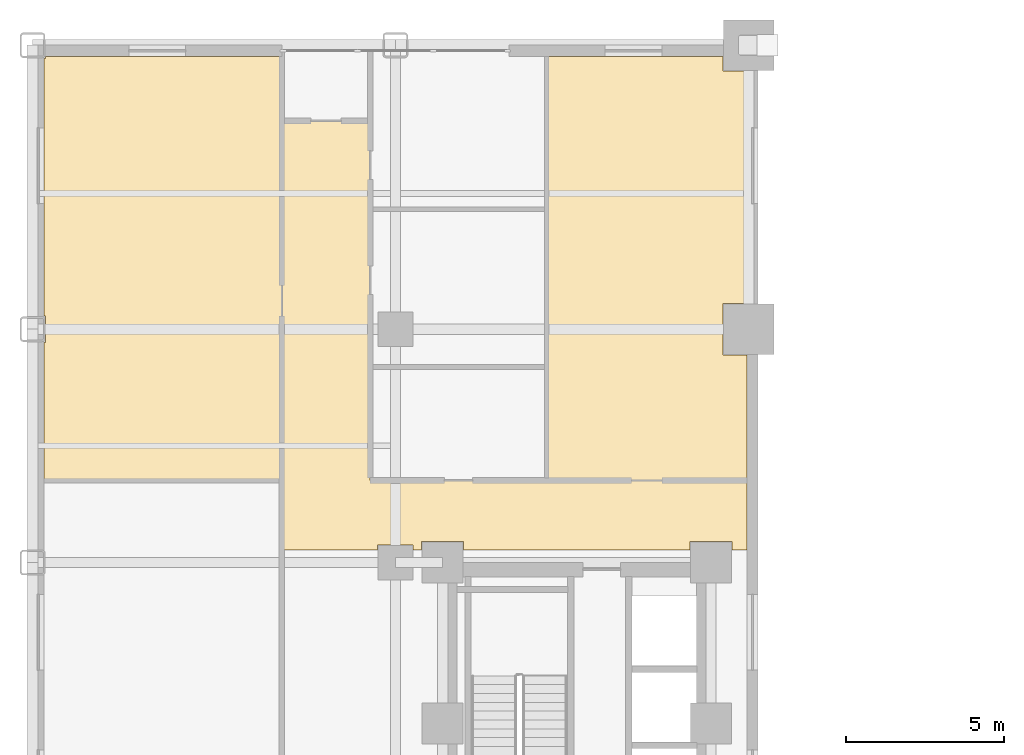
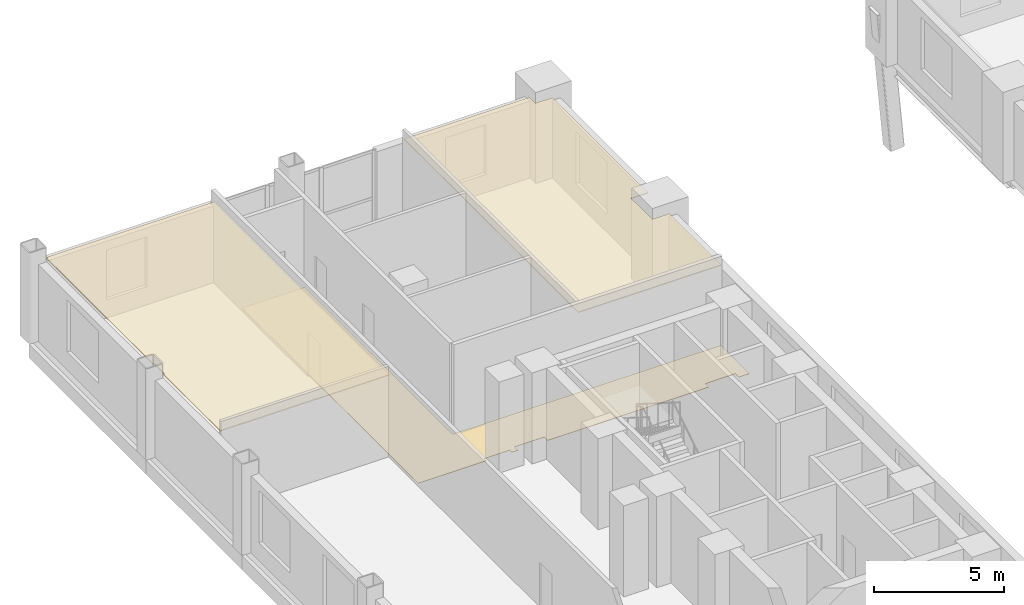
# One storey, part 14 of 15: 3 coverings.
"""IFC4 building model written with IfcOpenShell, lengths in metres."""

from ifc_helpers import new_model, si_unit, direction, frame, origin, place, context, subcontext, project, spatial, polyline, outline, extrude, material, layer, layer_set, type_object, element, save


model = new_model("IFC4")

# Units and contexts
model_context = context("Model", 3, precision=1e-05, world=origin(), true_north=direction((0.0, 1.0)))
body_context = subcontext(model_context, "Body", "Model", "MODEL_VIEW")
ifc_project = project(units=[si_unit("LENGTHUNIT", "METRE"), si_unit("AREAUNIT", "SQUARE_METRE"), si_unit("VOLUMEUNIT", "CUBIC_METRE"), si_unit("PLANEANGLEUNIT", "RADIAN"), si_unit("MASSUNIT", "GRAM", prefix="KILO")], contexts=[model_context])

# Site, building, storey
site_placement = place(None, origin())
site = spatial("IfcSite", under=ifc_project, at=site_placement, CompositionType="ELEMENT")
building_placement = place(site_placement, origin())
building = spatial("IfcBuilding", under=site, at=building_placement, Name="Nuvemarco Arch Tower", CompositionType="ELEMENT")
storey_placement = place(building_placement, frame((0.0, 0.0, 4.60009765625)))
storey = spatial("IfcBuildingStorey", under=building, at=storey_placement, Name="L01", CompositionType="ELEMENT", Elevation=4.60009765625)

# Coverings
ifc_material_1 = material(Name="Mineral acoustic ceiling tile")
ifc_layer_1 = layer(ifc_material_1, 0.0400390625, Name="COV-ACOUSTIC-CLG")
ifc_layer_set_1 = layer_set([ifc_layer_1], Name="Mineral acoustic ceiling tile")
covering_type_1 = type_object("IfcCoveringType", Name="COV-ACOUSTIC-CLG", PredefinedType="CEILING", material=ifc_layer_set_1)
covering_1_placement = place(storey_placement, frame((0.0, 0.0, 3.760009765625)))
element("IfcCovering", 1, at=covering_1_placement, inside=storey, type_object=covering_type_1, Name="L01 suspended acoustic ceiling 5", PredefinedType="CEILING", context=body_context, shape_type="SweptSolid", body=[
    extrude(outline(polyline([(-30.0849609375, 25.5849609375), (-30.0849609375, 25.639892578125), (-22.60009765625, 25.639892578125), (-22.60009765625, 23.60009765625), (-22.60009765625, 12.199951171875), (-30.139892578125, 12.199951171875), (-30.139892578125, 16.5849609375), (-30.0849609375, 16.5849609375), (-30.0849609375, 17.4150390625), (-30.139892578125, 17.4150390625), (-30.139892578125, 25.5849609375), (-30.0849609375, 25.5849609375)])), origin(), (0.0, 0.0, 1.0), 0.039794921875),
])
covering_2_placement = place(storey_placement, frame((0.0, 0.0, 3.760009765625)))
element("IfcCovering", 2, at=covering_2_placement, inside=storey, type_object=covering_type_1, Name="L01 suspended acoustic ceiling 7", PredefinedType="CEILING", context=body_context, shape_type="SweptSolid", body=[
    extrude(outline(polyline([(-8.614990234375, 25.18505859375), (-7.860107421875, 25.18505859375), (-7.860107421875, 17.81494140625), (-8.614990234375, 17.81494140625), (-8.614990234375, 16.18505859375), (-7.860107421875, 16.18505859375), (-7.860107421875, 12.199951171875), (-14.199951171875, 12.199951171875), (-14.199951171875, 15.800048828125), (-14.199951171875, 20.800048828125), (-14.199951171875, 25.639892578125), (-8.614990234375, 25.639892578125), (-8.614990234375, 25.18505859375)])), origin(), (0.0, 0.0, 1.0), 0.039794921875),
])
ifc_material_2 = material(Name="Polished granite terrazzostone flooring", Category="masonry")
ifc_layer_2 = layer(ifc_material_2, 0.02001953125, Name="COV-LOBBY-FLR")
ifc_layer_set_2 = layer_set([ifc_layer_2], Name="Polished granite terrazzostone flooring")
covering_type_2 = type_object("IfcCoveringType", Name="COV-LOBBY-FLR", PredefinedType="FLOORING", material=ifc_layer_set_2)
covering_3_placement = place(storey_placement, origin())
element("IfcCovering", 3, at=covering_3_placement, inside=storey, type_object=covering_type_2, Name="L01 polished terrazzo lobby flooring", PredefinedType="FLOORING", context=body_context, shape_type="SweptSolid", body=[
    extrude(outline(polyline([(-22.60009765625, 23.60009765625), (-19.800048828125, 23.60009765625), (-19.800048828125, 12.199951171875), (-7.860107421875, 12.199951171875), (-7.860107421875, 10.0), (-8.3349609375, 10.0), (-8.3349609375, 10.264892578125), (-9.6650390625, 10.264892578125), (-9.6650390625, 10.0), (-16.8349609375, 10.0), (-16.8349609375, 10.264892578125), (-18.1650390625, 10.264892578125), (-18.1650390625, 10.0), (-18.43505859375, 10.0), (-18.43505859375, 10.1650390625), (-19.56494140625, 10.1650390625), (-19.56494140625, 10.0), (-22.60009765625, 10.0), (-22.60009765625, 12.199951171875), (-22.60009765625, 23.60009765625)])), origin(), (0.0, 0.0, 1.0), 0.02001953125),
])

save(model, "model.ifc")
